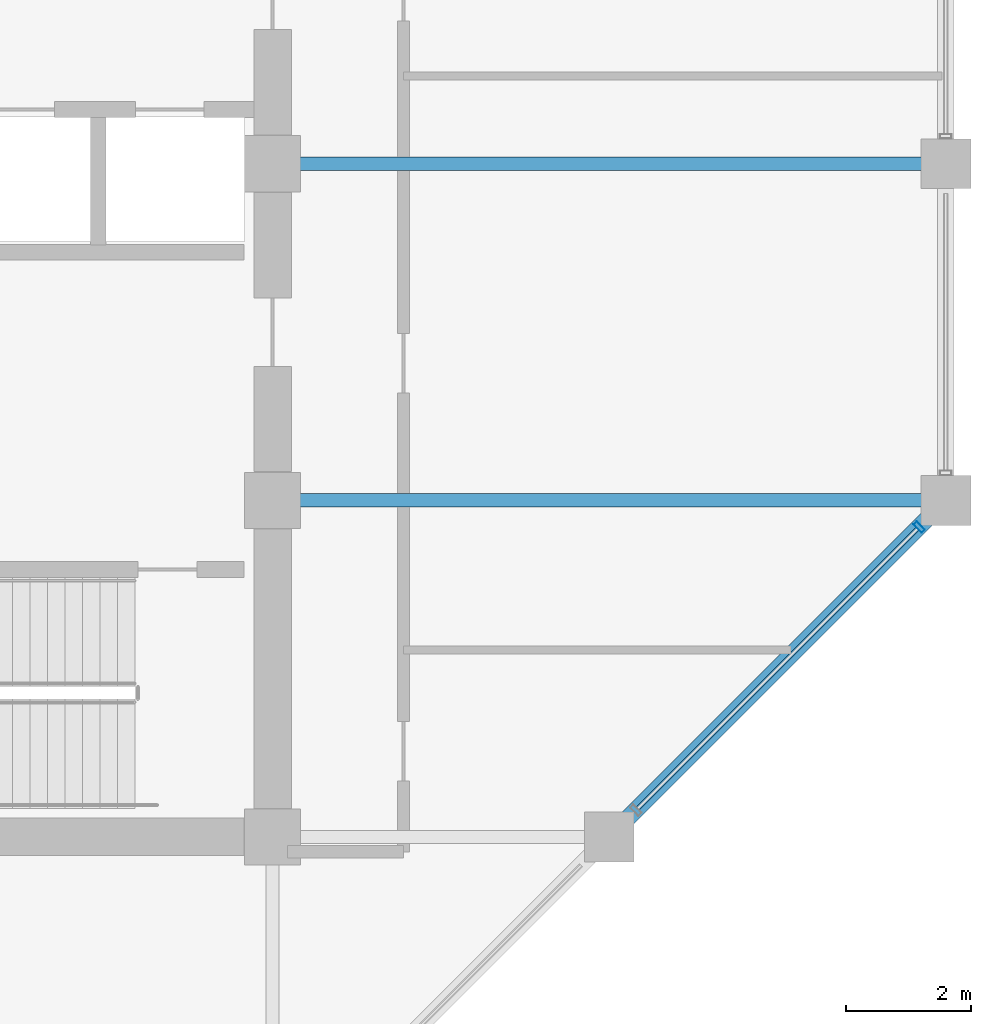
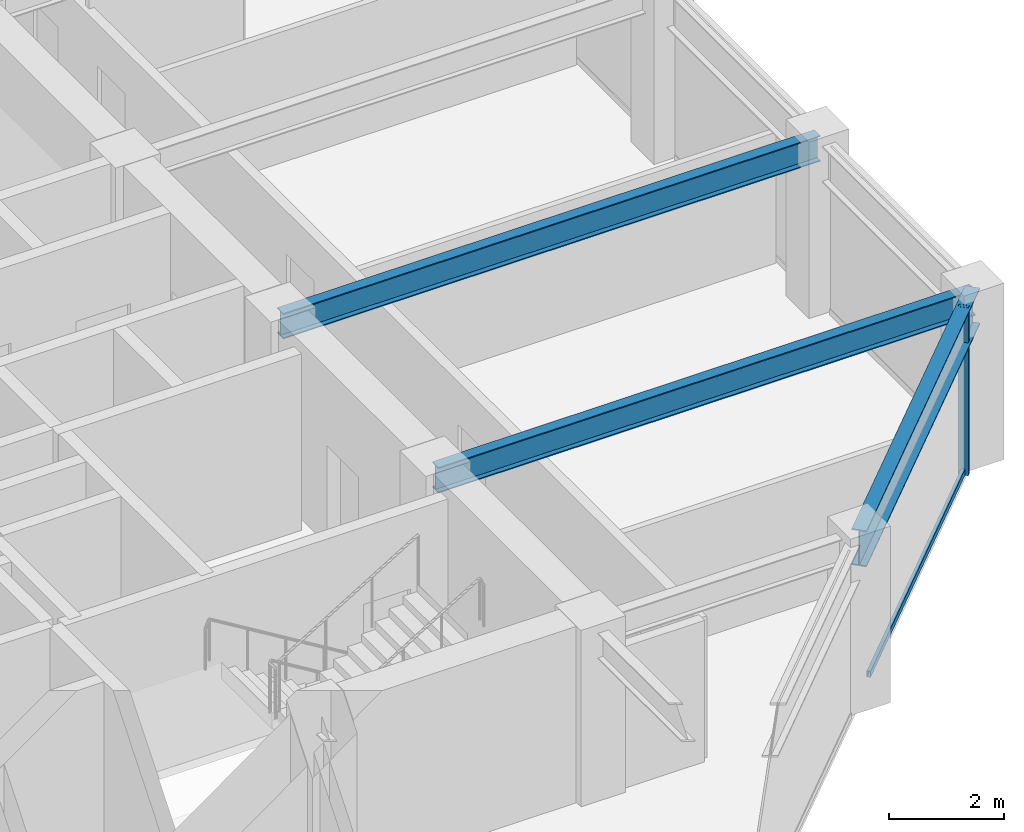
# One storey, part 13 of 32: 3 beams, 2 members, 1 element without a shape of its own.
"""IFC4 building model written with IfcOpenShell, lengths in metres."""

from ifc_helpers import new_model, si_unit, direction, frame, origin, origin_2d, place, context, subcontext, project, spatial, hollow_rectangle, i_section, extrude, material, layer, layer_set, material_profile, profile_set, type_object, element, aggregate, save


model = new_model("IFC4")

# Units and contexts
model_context = context("Model", 3, precision=1e-05, world=origin(), true_north=direction((0.0, 1.0)))
body_context = subcontext(model_context, "Body", "Model", "MODEL_VIEW")
ifc_project = project(units=[si_unit("LENGTHUNIT", "METRE"), si_unit("AREAUNIT", "SQUARE_METRE"), si_unit("VOLUMEUNIT", "CUBIC_METRE"), si_unit("PLANEANGLEUNIT", "RADIAN"), si_unit("MASSUNIT", "GRAM", prefix="KILO")], contexts=[model_context])

# Site, building, storey
site_placement = place(None, origin())
site = spatial("IfcSite", under=ifc_project, at=site_placement, CompositionType="ELEMENT")
building_placement = place(site_placement, origin())
building = spatial("IfcBuilding", under=site, at=building_placement, Name="Surkhivell Harbour Commons", CompositionType="ELEMENT")
storey_placement = place(building_placement, frame((0.0, 0.0, 219.75)))
storey = spatial("IfcBuildingStorey", under=building, at=storey_placement, Name="L57", CompositionType="ELEMENT", Elevation=219.75)

# Beams
ifc_material_1 = material(Name="Steel S355", Category="steel")
ifc_material_profile_1 = material_profile(ifc_material_1, i_section(OverallWidth=0.2119140625, OverallDepth=0.5439453125, WebThickness=0.0126953125, FlangeThickness=0.021240234375, at=origin_2d()), Name="UB533x210x122")
ifc_profile_set_1 = profile_set([ifc_material_profile_1], Name="Steel S355")
beam_type_1 = type_object("IfcBeamType", Name="BM-GRD-533A", PredefinedType="BEAM", material=ifc_profile_set_1)
for number, where, z_axis, x_axis, name in (
    (1, (10.800048828125, -5.39990234375, 3.298095703125), (1.0, 0.0, 0.0), (0.0, 1.0, 0.0), "L57 Floor Girder (10.8,-5.4)"),
    (2, (10.800048828125, 0.0, 3.298095703125), (1.0, 0.0, 0.0), (0.0, 1.0, 0.0), "L57 Floor Girder (10.8,0.0)"),
):
    element("IfcBeam", number, at=place(storey_placement, frame(where, z_axis=z_axis, x_axis=x_axis)), inside=storey, type_object=beam_type_1, Name=name, PredefinedType="BEAM", context=body_context, shape_type="SweptSolid", body=[
        extrude(i_section(OverallWidth=0.2119140625, OverallDepth=0.5439453125, WebThickness=0.0126953125, FlangeThickness=0.021240234375, at=origin_2d()), origin(), (0.0, 0.0, 1.0), 10.800048828125),
    ])
ifc_material_profile_2 = material_profile(ifc_material_1, i_section(OverallWidth=0.26806640625, OverallDepth=0.77001953125, WebThickness=0.015625, FlangeThickness=0.025390625, at=origin_2d()), Name="UB762x267x197")
ifc_profile_set_2 = profile_set([ifc_material_profile_2], Name="Steel S355")
beam_type_2 = type_object("IfcBeamType", Name="BM-SPN-762", PredefinedType="SPANDREL", material=ifc_profile_set_2)
beam_placement = place(storey_placement, frame((16.199951171875, -10.800048828125, 3.18505859375), z_axis=(0.707106781187, 0.707106781187, 0.0), x_axis=(-0.707106781187, 0.707106781187, 0.0)))
element("IfcBeam", 3, at=beam_placement, inside=storey, type_object=beam_type_2, Name="L57 Tube Spandrel (16.2,-10.8)", PredefinedType="SPANDREL", context=body_context, shape_type="SweptSolid", body=[
    extrude(i_section(OverallWidth=0.26806640625, OverallDepth=0.77001953125, WebThickness=0.015625, FlangeThickness=0.025390625, at=origin_2d()), origin(), (0.0, 0.0, 1.0), 7.636962890625),
])

# Curtain wall, members
ifc_material_2 = material(Name="Anodised pale-metal aluminium and insulated glazing", Category="aluminium")
ifc_layer = layer(ifc_material_2, 0.18994140625)
ifc_layer_set = layer_set([ifc_layer], Name="Anodised pale-metal aluminium and insulated glazing")
curtain_wall_type = type_object("IfcCurtainWallType", Name="CW-SYS-Z3", PredefinedType="NOTDEFINED", material=ifc_layer_set)
curtain_wall_placement = place(storey_placement, origin())
curtain_wall = element("IfcCurtainWall", 4, at=curtain_wall_placement, inside=storey, type_object=curtain_wall_type, Name="L57 Curtain Wall CW-L57-E01", PredefinedType="NOTDEFINED")
ifc_material_3 = material(Name="Anodised pale-metal aluminium alloy 6063-T6", Category="aluminium")
ifc_material_profile_3 = material_profile(ifc_material_3, hollow_rectangle(XDim=0.074951171875, YDim=0.18994140625, WallThickness=0.00390625, at=origin_2d()), Name="ALU-MULL-75x190")
ifc_profile_set_3 = profile_set([ifc_material_profile_3], Name="Anodised pale-metal aluminium alloy 6063-T6")
member_type_1 = type_object("IfcMemberType", Name="CWM-190", PredefinedType="MULLION", material=ifc_profile_set_3)
member_1_placement = place(storey_placement, frame((21.171875, -5.828125, 0.0), z_axis=(0.0, 0.0, 1.0), x_axis=(0.707106781187, 0.707106781187, 0.0)))
member_1 = element("IfcMember", 5, at=member_1_placement, type_object=member_type_1, Name="CW-Z3 mullion 4", PredefinedType="MULLION", context=body_context, shape_type="SweptSolid", body=[
    extrude(hollow_rectangle(XDim=0.074951171875, YDim=0.18994140625, WallThickness=0.00390625, at=origin_2d()), origin(), (0.0, 0.0, 1.0), 3.570068359375),
])
ifc_material_4 = material(Name="Champagne anodised aluminium alloy 6063-T6", Category="aluminium")
ifc_material_profile_4 = material_profile(ifc_material_4, hollow_rectangle(XDim=0.070068359375, YDim=0.1298828125, WallThickness=0.00341796875, at=origin_2d()), Name="ALU-TRAN-70x130")
ifc_profile_set_4 = profile_set([ifc_material_profile_4], Name="Champagne anodised aluminium alloy 6063-T6")
member_type_2 = type_object("IfcMemberType", Name="CWT-130", PredefinedType="USERDEFINED", material=ifc_profile_set_4)
member_2_placement = place(storey_placement, frame((16.65478515625, -10.34521484375, 0.06494140625), z_axis=(0.707106781187, 0.707106781187, 0.0), x_axis=(-0.707106781187, 0.707106781187, 0.0)))
member_2 = element("IfcMember", 6, at=member_2_placement, type_object=member_type_2, Name="CW-Z3 transom 3.1", ObjectType="TRANSOM", PredefinedType="USERDEFINED", context=body_context, shape_type="SweptSolid", body=[
    extrude(hollow_rectangle(XDim=0.070068359375, YDim=0.1298828125, WallThickness=0.00341796875, at=origin_2d()), origin(), (0.0, 0.0, 1.0), 6.3505859375),
])
aggregate(curtain_wall, [member_1, member_2])

save(model, "model.ifc")
